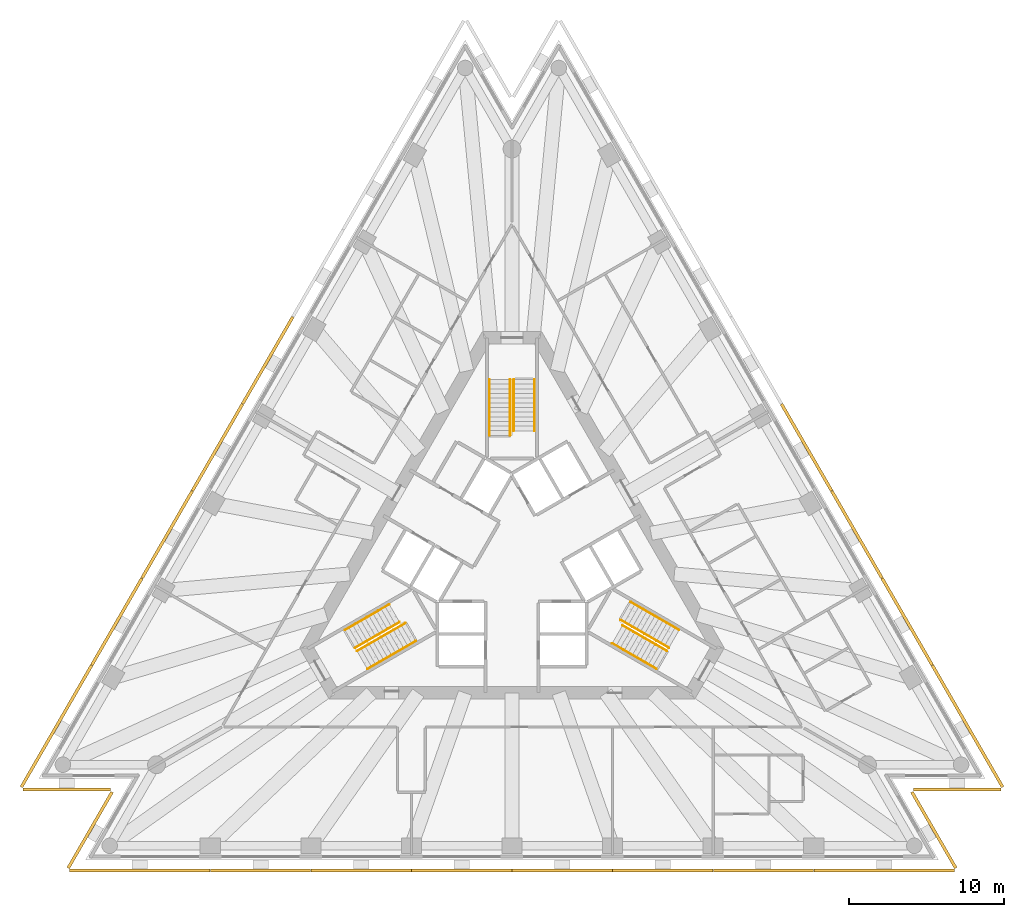
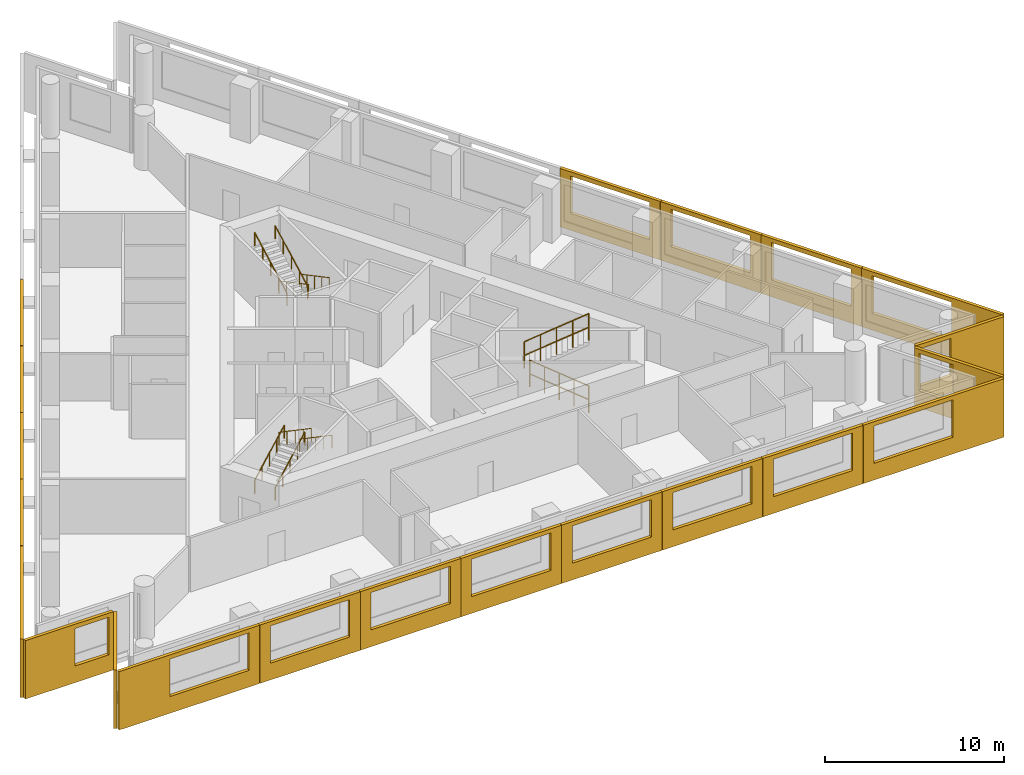
# One storey, part 8 of 9: 21 shading devices, 12 railings, 3 elements without a shape of their own.
"""IFC4 building model written with IfcOpenShell, lengths in metres."""

from ifc_helpers import new_model, si_unit, direction, frame, origin, origin_2d, place, context, subcontext, project, spatial, polyline, circle, outline, extrude, material, layer, layer_set, type_object, element, aggregate, save


model = new_model("IFC4")

# Units and contexts
model_context = context("Model", 3, precision=1e-05, world=origin(), true_north=direction((0.0, 1.0)))
body_context = subcontext(model_context, "Body", "Model", "MODEL_VIEW")
ifc_project = project(units=[si_unit("LENGTHUNIT", "METRE"), si_unit("AREAUNIT", "SQUARE_METRE"), si_unit("VOLUMEUNIT", "CUBIC_METRE"), si_unit("PLANEANGLEUNIT", "RADIAN"), si_unit("MASSUNIT", "GRAM", prefix="KILO")], contexts=[model_context])

# Site, building, storey
site_placement = place(None, origin())
site = spatial("IfcSite", under=ifc_project, at=site_placement, CompositionType="ELEMENT")
building_placement = place(site_placement, origin())
building = spatial("IfcBuilding", under=site, at=building_placement, Name="Triada Interchange Tower", CompositionType="ELEMENT")
storey_placement = place(building_placement, frame((0.0, 0.0, 172.300048828125)))
storey = spatial("IfcBuildingStorey", under=building, at=storey_placement, Name="L40", CompositionType="ELEMENT", Elevation=172.300048828125)

# Shading devices
ifc_material_1 = material(Name="Concrete C50/60 precast", Category="concrete")
ifc_layer_1 = layer(ifc_material_1, 0.02001953125, Name="Exposed aggregate face")
ifc_layer_2 = layer(ifc_material_1, 0.179931640625, Name="Precast concrete screen")
ifc_layer_set = layer_set([ifc_layer_1, ifc_layer_2], Name="Outer skin screen panel 3980")
shading_device_type = type_object("IfcShadingDeviceType", Name="Outer skin screen panel 3980", PredefinedType="SHUTTER", material=ifc_layer_set)
shading_device_1_placement = place(storey_placement, frame((-14.0439453125, 15.58203125, -0.2900390625), z_axis=(0.0, 0.0, 1.0), x_axis=(-0.500129044967, -0.865950886818, 0.0)))
element("IfcShadingDevice", 1, at=shading_device_1_placement, inside=storey, type_object=shading_device_type, Name="Outer skin screen panel L40 04", PredefinedType="SHUTTER", context=body_context, shape_type="SweptSolid", body=[
    extrude(outline(polyline([(0.0, 0.0), (6.462158203125, 0.0), (6.462158203125, 3.97998046875), (0.0, 3.97998046875), (0.0, 0.0)]), holes=[polyline([(0.680908203125, 1.139892578125), (0.680908203125, 3.68994140625), (5.781005859375, 3.68994140625), (5.781005859375, 1.139892578125), (0.680908203125, 1.139892578125)])]), frame((0.0, 0.0, 0.0), z_axis=(0.0, -1.0, 0.0), x_axis=(1.0, 0.0, 0.0)), (0.0, 0.0, 1.0), 0.199951171875),
])
shading_device_2_placement = place(storey_placement, frame((-17.285888671875, 9.968017578125, -0.2900390625), z_axis=(0.0, 0.0, 1.0), x_axis=(-0.500044047809, -0.865999971276, 0.0)))
element("IfcShadingDevice", 2, at=shading_device_2_placement, inside=storey, type_object=shading_device_type, Name="Outer skin screen panel L40 05", PredefinedType="SHUTTER", context=body_context, shape_type="SweptSolid", body=[
    extrude(outline(polyline([(0.0, 0.0), (6.4619140625, 0.0), (6.4619140625, 3.97998046875), (0.0, 3.97998046875), (0.0, 0.0)]), holes=[polyline([(0.6806640625, 1.139892578125), (0.6806640625, 3.68994140625), (5.78076171875, 3.68994140625), (5.78076171875, 1.139892578125), (0.6806640625, 1.139892578125)])]), frame((0.0, 0.0, 0.0), z_axis=(0.0, -1.0, 0.0), x_axis=(1.0, 0.0, 0.0)), (0.0, 0.0, 1.0), 0.199951171875),
])
shading_device_3_placement = place(storey_placement, frame((-20.527099609375, 4.35498046875, -0.2900390625), z_axis=(0.0, 0.0, 1.0), x_axis=(-0.499950276492, -0.866054109762, 0.0)))
element("IfcShadingDevice", 3, at=shading_device_3_placement, inside=storey, type_object=shading_device_type, Name="Outer skin screen panel L40 06", PredefinedType="SHUTTER", context=body_context, shape_type="SweptSolid", body=[
    extrude(outline(polyline([(0.0, 0.0), (6.462646484375, 0.0), (6.462646484375, 3.97998046875), (0.0, 3.97998046875), (0.0, 0.0)]), holes=[polyline([(0.681396484375, 1.139892578125), (0.681396484375, 3.68994140625), (5.781494140625, 3.68994140625), (5.781494140625, 1.139892578125), (0.681396484375, 1.139892578125)])]), frame((0.0, 0.0, 0.0), z_axis=(0.0, -1.0, 0.0), x_axis=(1.0, 0.0, 0.0)), (0.0, 0.0, 1.0), 0.199951171875),
])
shading_device_4_placement = place(storey_placement, frame((-23.76806640625, -1.259033203125, -0.2900390625), z_axis=(0.0, 0.0, 1.0), x_axis=(-0.499950276492, -0.866054109762, 0.0)))
element("IfcShadingDevice", 4, at=shading_device_4_placement, inside=storey, type_object=shading_device_type, Name="Outer skin screen panel L40 07", PredefinedType="SHUTTER", context=body_context, shape_type="SweptSolid", body=[
    extrude(outline(polyline([(0.0, 0.0), (6.462646484375, 0.0), (6.462646484375, 3.97998046875), (0.0, 3.97998046875), (0.0, 0.0)]), holes=[polyline([(0.68115234375, 1.139892578125), (0.68115234375, 3.68994140625), (5.78125, 3.68994140625), (5.78125, 1.139892578125), (0.68115234375, 1.139892578125)])]), frame((0.0, 0.0, 0.0), z_axis=(0.0, -1.0, 0.0), x_axis=(1.0, 0.0, 0.0)), (0.0, 0.0, 1.0), 0.199951171875),
])
shading_device_5_placement = place(storey_placement, frame((-27.009033203125, -6.873046875, -0.2900390625), z_axis=(0.0, 0.0, 1.0), x_axis=(-0.500014034262, -0.866017300948, 0.0)))
element("IfcShadingDevice", 5, at=shading_device_5_placement, inside=storey, type_object=shading_device_type, Name="Outer skin screen panel L40 08", PredefinedType="SHUTTER", context=body_context, shape_type="SweptSolid", body=[
    extrude(outline(polyline([(0.0, 0.0), (9.059814453125, 0.0), (9.059814453125, 3.97998046875), (0.0, 3.97998046875), (0.0, 0.0)]), holes=[polyline([(0.680908203125, 1.139892578125), (0.680908203125, 3.68994140625), (5.781005859375, 3.68994140625), (5.781005859375, 1.139892578125), (0.680908203125, 1.139892578125)])]), frame((0.0, 0.0, 0.0), z_axis=(0.0, -1.0, 0.0), x_axis=(1.0, 0.0, 0.0)), (0.0, 0.0, 1.0), 0.199951171875),
])
shading_device_6_placement = place(storey_placement, frame((-31.533935546875, -14.72802734375, -0.2900390625), z_axis=(0.0, 0.0, 1.0), x_axis=(1.0, 0.0, 0.0)))
element("IfcShadingDevice", 6, at=shading_device_6_placement, inside=storey, type_object=shading_device_type, Name="Outer skin screen panel L40 09", PredefinedType="SHUTTER", context=body_context, shape_type="SweptSolid", body=[
    extrude(outline(polyline([(0.0, 0.0), (5.6669921875, 0.0), (5.6669921875, 3.97998046875), (0.0, 3.97998046875), (0.0, 0.0)]), holes=[polyline([(3.175048828125, 1.139892578125), (3.175048828125, 3.68994140625), (5.366943359375, 3.68994140625), (5.366943359375, 1.139892578125), (3.175048828125, 1.139892578125)])]), frame((0.0, 0.0, 0.0), z_axis=(0.0, -1.0, 0.0), x_axis=(1.0, 0.0, 0.0)), (0.0, 0.0, 1.0), 0.199951171875),
])
shading_device_7_placement = place(storey_placement, frame((-25.68798828125, -15.037109375, -0.2900390625), z_axis=(0.0, 0.0, 1.0), x_axis=(-0.500049351658, -0.865996908716, 0.0)))
element("IfcShadingDevice", 7, at=shading_device_7_placement, inside=storey, type_object=shading_device_type, Name="Outer skin screen panel L40 10", PredefinedType="SHUTTER", context=body_context, shape_type="SweptSolid", body=[
    extrude(outline(polyline([(0.0, 0.0), (5.66748046875, 0.0), (5.66748046875, 3.97998046875), (0.0, 3.97998046875), (0.0, 0.0)]), holes=[polyline([(0.300048828125, 1.139892578125), (0.300048828125, 3.68994140625), (2.258056640625, 3.68994140625), (2.258056640625, 1.139892578125), (0.300048828125, 1.139892578125)])]), frame((0.0, 0.0, 0.0), z_axis=(0.0, -1.0, 0.0), x_axis=(1.0, 0.0, 0.0)), (0.0, 0.0, 1.0), 0.199951171875),
])
shading_device_8_placement = place(storey_placement, frame((-28.51708984375, -19.9541015625, -0.2900390625), z_axis=(0.0, 0.0, 1.0), x_axis=(1.0, 0.0, 0.0)))
element("IfcShadingDevice", 8, at=shading_device_8_placement, inside=storey, type_object=shading_device_type, Name="Outer skin screen panel L40 11", PredefinedType="SHUTTER", context=body_context, shape_type="SweptSolid", body=[
    extrude(outline(polyline([(0.0, 0.0), (9.06005859375, 0.0), (9.06005859375, 3.97998046875), (0.0, 3.97998046875), (0.0, 0.0)]), holes=[polyline([(3.279052734375, 1.139892578125), (3.279052734375, 3.68994140625), (8.37890625, 3.68994140625), (8.37890625, 1.139892578125), (3.279052734375, 1.139892578125)])]), frame((0.0, 0.0, 0.0), z_axis=(0.0, -1.0, 0.0), x_axis=(1.0, 0.0, 0.0)), (0.0, 0.0, 1.0), 0.199951171875),
])
shading_device_9_placement = place(storey_placement, frame((-19.43701171875, -19.9541015625, -0.2900390625), z_axis=(0.0, 0.0, 1.0), x_axis=(1.0, 0.0, 0.0)))
element("IfcShadingDevice", 9, at=shading_device_9_placement, inside=storey, type_object=shading_device_type, Name="Outer skin screen panel L40 12", PredefinedType="SHUTTER", context=body_context, shape_type="SweptSolid", body=[
    extrude(outline(polyline([(0.0, 0.0), (6.462890625, 0.0), (6.462890625, 3.97998046875), (0.0, 3.97998046875), (0.0, 0.0)]), holes=[polyline([(0.6806640625, 1.139892578125), (0.6806640625, 3.68994140625), (5.78076171875, 3.68994140625), (5.78076171875, 1.139892578125), (0.6806640625, 1.139892578125)])]), frame((0.0, 0.0, 0.0), z_axis=(0.0, -1.0, 0.0), x_axis=(1.0, 0.0, 0.0)), (0.0, 0.0, 1.0), 0.199951171875),
])
shading_device_10_placement = place(storey_placement, frame((-12.9541015625, -19.9541015625, -0.2900390625), z_axis=(0.0, 0.0, 1.0), x_axis=(1.0, 0.0, 0.0)))
element("IfcShadingDevice", 10, at=shading_device_10_placement, inside=storey, type_object=shading_device_type, Name="Outer skin screen panel L40 13", PredefinedType="SHUTTER", context=body_context, shape_type="SweptSolid", body=[
    extrude(outline(polyline([(0.0, 0.0), (6.462158203125, 0.0), (6.462158203125, 3.97998046875), (0.0, 3.97998046875), (0.0, 0.0)]), holes=[polyline([(0.681396484375, 1.139892578125), (0.681396484375, 3.68994140625), (5.781494140625, 3.68994140625), (5.781494140625, 1.139892578125), (0.681396484375, 1.139892578125)])]), frame((0.0, 0.0, 0.0), z_axis=(0.0, -1.0, 0.0), x_axis=(1.0, 0.0, 0.0)), (0.0, 0.0, 1.0), 0.199951171875),
])
shading_device_11_placement = place(storey_placement, frame((-6.471923828125, -19.9541015625, -0.2900390625), z_axis=(0.0, 0.0, 1.0), x_axis=(1.0, 0.0, 0.0)))
element("IfcShadingDevice", 11, at=shading_device_11_placement, inside=storey, type_object=shading_device_type, Name="Outer skin screen panel L40 14", PredefinedType="SHUTTER", context=body_context, shape_type="SweptSolid", body=[
    extrude(outline(polyline([(0.0, 0.0), (6.4619140625, 0.0), (6.4619140625, 3.97998046875), (0.0, 3.97998046875), (0.0, 0.0)]), holes=[polyline([(0.68115234375, 1.139892578125), (0.68115234375, 3.68994140625), (5.78125, 3.68994140625), (5.78125, 1.139892578125), (0.68115234375, 1.139892578125)])]), frame((0.0, 0.0, 0.0), z_axis=(0.0, -1.0, 0.0), x_axis=(1.0, 0.0, 0.0)), (0.0, 0.0, 1.0), 0.199951171875),
])
shading_device_12_placement = place(storey_placement, frame((0.010009765625, -19.9541015625, -0.2900390625), z_axis=(0.0, 0.0, 1.0), x_axis=(1.0, 0.0, 0.0)))
element("IfcShadingDevice", 12, at=shading_device_12_placement, inside=storey, type_object=shading_device_type, Name="Outer skin screen panel L40 15", PredefinedType="SHUTTER", context=body_context, shape_type="SweptSolid", body=[
    extrude(outline(polyline([(0.0, 0.0), (6.4619140625, 0.0), (6.4619140625, 3.97998046875), (0.0, 3.97998046875), (0.0, 0.0)]), holes=[polyline([(0.680908203125, 1.139892578125), (0.680908203125, 3.68994140625), (5.781005859375, 3.68994140625), (5.781005859375, 1.139892578125), (0.680908203125, 1.139892578125)])]), frame((0.0, 0.0, 0.0), z_axis=(0.0, -1.0, 0.0), x_axis=(1.0, 0.0, 0.0)), (0.0, 0.0, 1.0), 0.199951171875),
])
shading_device_13_placement = place(storey_placement, frame((6.491943359375, -19.9541015625, -0.2900390625), z_axis=(0.0, 0.0, 1.0), x_axis=(1.0, 0.0, 0.0)))
element("IfcShadingDevice", 13, at=shading_device_13_placement, inside=storey, type_object=shading_device_type, Name="Outer skin screen panel L40 16", PredefinedType="SHUTTER", context=body_context, shape_type="SweptSolid", body=[
    extrude(outline(polyline([(0.0, 0.0), (6.463134765625, 0.0), (6.463134765625, 3.97998046875), (0.0, 3.97998046875), (0.0, 0.0)]), holes=[polyline([(0.680908203125, 1.139892578125), (0.680908203125, 3.68994140625), (5.78076171875, 3.68994140625), (5.78076171875, 1.139892578125), (0.680908203125, 1.139892578125)])]), frame((0.0, 0.0, 0.0), z_axis=(0.0, -1.0, 0.0), x_axis=(1.0, 0.0, 0.0)), (0.0, 0.0, 1.0), 0.199951171875),
])
shading_device_14_placement = place(storey_placement, frame((12.97412109375, -19.9541015625, -0.2900390625), z_axis=(0.0, 0.0, 1.0), x_axis=(1.0, 0.0, 0.0)))
element("IfcShadingDevice", 14, at=shading_device_14_placement, inside=storey, type_object=shading_device_type, Name="Outer skin screen panel L40 17", PredefinedType="SHUTTER", context=body_context, shape_type="SweptSolid", body=[
    extrude(outline(polyline([(0.0, 0.0), (6.462890625, 0.0), (6.462890625, 3.97998046875), (0.0, 3.97998046875), (0.0, 0.0)]), holes=[polyline([(0.681396484375, 1.139892578125), (0.681396484375, 3.68994140625), (5.781494140625, 3.68994140625), (5.781494140625, 1.139892578125), (0.681396484375, 1.139892578125)])]), frame((0.0, 0.0, 0.0), z_axis=(0.0, -1.0, 0.0), x_axis=(1.0, 0.0, 0.0)), (0.0, 0.0, 1.0), 0.199951171875),
])
shading_device_15_placement = place(storey_placement, frame((19.45703125, -19.9541015625, -0.2900390625), z_axis=(0.0, 0.0, 1.0), x_axis=(1.0, 0.0, 0.0)))
element("IfcShadingDevice", 15, at=shading_device_15_placement, inside=storey, type_object=shading_device_type, Name="Outer skin screen panel L40 18", PredefinedType="SHUTTER", context=body_context, shape_type="SweptSolid", body=[
    extrude(outline(polyline([(0.0, 0.0), (9.06005859375, 0.0), (9.06005859375, 3.97998046875), (0.0, 3.97998046875), (0.0, 0.0)]), holes=[polyline([(0.681396484375, 1.139892578125), (0.681396484375, 3.68994140625), (5.78125, 3.68994140625), (5.78125, 1.139892578125), (0.681396484375, 1.139892578125)])]), frame((0.0, 0.0, 0.0), z_axis=(0.0, -1.0, 0.0), x_axis=(1.0, 0.0, 0.0)), (0.0, 0.0, 1.0), 0.199951171875),
])
shading_device_16_placement = place(storey_placement, frame((28.52197265625, -19.945068359375, -0.2900390625), z_axis=(0.0, 0.0, 1.0), x_axis=(-0.500049351658, 0.865996908716, 0.0)))
element("IfcShadingDevice", 16, at=shading_device_16_placement, inside=storey, type_object=shading_device_type, Name="Outer skin screen panel L40 19", PredefinedType="SHUTTER", context=body_context, shape_type="SweptSolid", body=[
    extrude(outline(polyline([(0.0, 0.0), (5.66748046875, 0.0), (5.66748046875, 3.97998046875), (0.0, 3.97998046875), (0.0, 0.0)]), holes=[polyline([(3.17529296875, 1.139892578125), (3.17529296875, 3.68994140625), (5.36767578125, 3.68994140625), (5.36767578125, 1.139892578125), (3.17529296875, 1.139892578125)])]), frame((0.0, 0.0, 0.0), z_axis=(0.0, -1.0, 0.0), x_axis=(1.0, 0.0, 0.0)), (0.0, 0.0, 1.0), 0.199951171875),
])
shading_device_17_placement = place(storey_placement, frame((25.866943359375, -14.72802734375, -0.2900390625), z_axis=(0.0, 0.0, 1.0), x_axis=(1.0, 0.0, 0.0)))
element("IfcShadingDevice", 17, at=shading_device_17_placement, inside=storey, type_object=shading_device_type, Name="Outer skin screen panel L40 20", PredefinedType="SHUTTER", context=body_context, shape_type="SweptSolid", body=[
    extrude(outline(polyline([(0.0, 0.0), (5.6669921875, 0.0), (5.6669921875, 3.97998046875), (0.0, 3.97998046875), (0.0, 0.0)]), holes=[polyline([(0.300048828125, 1.139892578125), (0.300048828125, 3.68994140625), (2.258056640625, 3.68994140625), (2.258056640625, 1.139892578125), (0.300048828125, 1.139892578125)])]), frame((0.0, 0.0, 0.0), z_axis=(0.0, -1.0, 0.0), x_axis=(1.0, 0.0, 0.0)), (0.0, 0.0, 1.0), 0.199951171875),
])
shading_device_18_placement = place(storey_placement, frame((31.5390625, -14.718994140625, -0.2900390625), z_axis=(0.0, 0.0, 1.0), x_axis=(-0.500014034262, 0.866017300948, 0.0)))
element("IfcShadingDevice", 18, at=shading_device_18_placement, inside=storey, type_object=shading_device_type, Name="Outer skin screen panel L40 21", PredefinedType="SHUTTER", context=body_context, shape_type="SweptSolid", body=[
    extrude(outline(polyline([(0.0, 0.0), (9.059814453125, 0.0), (9.059814453125, 3.97998046875), (0.0, 3.97998046875), (0.0, 0.0)]), holes=[polyline([(3.279296875, 1.139892578125), (3.279296875, 3.68994140625), (8.37939453125, 3.68994140625), (8.37939453125, 1.139892578125), (3.279296875, 1.139892578125)])]), frame((0.0, 0.0, 0.0), z_axis=(0.0, -1.0, 0.0), x_axis=(1.0, 0.0, 0.0)), (0.0, 0.0, 1.0), 0.199951171875),
])
shading_device_19_placement = place(storey_placement, frame((26.9990234375, -6.85595703125, -0.2900390625), z_axis=(0.0, 0.0, 1.0), x_axis=(-0.499950276492, 0.866054109762, 0.0)))
element("IfcShadingDevice", 19, at=shading_device_19_placement, inside=storey, type_object=shading_device_type, Name="Outer skin screen panel L40 22", PredefinedType="SHUTTER", context=body_context, shape_type="SweptSolid", body=[
    extrude(outline(polyline([(0.0, 0.0), (6.462646484375, 0.0), (6.462646484375, 3.97998046875), (0.0, 3.97998046875), (0.0, 0.0)]), holes=[polyline([(0.680908203125, 1.139892578125), (0.680908203125, 3.68994140625), (5.781005859375, 3.68994140625), (5.781005859375, 1.139892578125), (0.680908203125, 1.139892578125)])]), frame((0.0, 0.0, 0.0), z_axis=(0.0, -1.0, 0.0), x_axis=(1.0, 0.0, 0.0)), (0.0, 0.0, 1.0), 0.199951171875),
])
shading_device_20_placement = place(storey_placement, frame((23.758056640625, -1.241943359375, -0.2900390625), z_axis=(0.0, 0.0, 1.0), x_axis=(-0.499950276492, 0.866054109762, 0.0)))
element("IfcShadingDevice", 20, at=shading_device_20_placement, inside=storey, type_object=shading_device_type, Name="Outer skin screen panel L40 23", PredefinedType="SHUTTER", context=body_context, shape_type="SweptSolid", body=[
    extrude(outline(polyline([(0.0, 0.0), (6.462646484375, 0.0), (6.462646484375, 3.97998046875), (0.0, 3.97998046875), (0.0, 0.0)]), holes=[polyline([(0.680908203125, 1.139892578125), (0.680908203125, 3.68994140625), (5.78076171875, 3.68994140625), (5.78076171875, 1.139892578125), (0.680908203125, 1.139892578125)])]), frame((0.0, 0.0, 0.0), z_axis=(0.0, -1.0, 0.0), x_axis=(1.0, 0.0, 0.0)), (0.0, 0.0, 1.0), 0.199951171875),
])
shading_device_21_placement = place(storey_placement, frame((20.51708984375, 4.3720703125, -0.2900390625), z_axis=(0.0, 0.0, 1.0), x_axis=(-0.500044047809, 0.865999971276, 0.0)))
element("IfcShadingDevice", 21, at=shading_device_21_placement, inside=storey, type_object=shading_device_type, Name="Outer skin screen panel L40 24", PredefinedType="SHUTTER", context=body_context, shape_type="SweptSolid", body=[
    extrude(outline(polyline([(0.0, 0.0), (6.4619140625, 0.0), (6.4619140625, 3.97998046875), (0.0, 3.97998046875), (0.0, 0.0)]), holes=[polyline([(0.6806640625, 1.139892578125), (0.6806640625, 3.68994140625), (5.780517578125, 3.68994140625), (5.780517578125, 1.139892578125), (0.6806640625, 1.139892578125)])]), frame((0.0, 0.0, 0.0), z_axis=(0.0, -1.0, 0.0), x_axis=(1.0, 0.0, 0.0)), (0.0, 0.0, 1.0), 0.199951171875),
])

# Stair, railings
ifc_material_2 = material(Name="Concrete C35/45", Category="concrete")
stair_type = type_object("IfcStairType", Name="HALF TURN STAIR 1400", PredefinedType="HALF_TURN_STAIR", material=ifc_material_2)
stair_1_placement = place(storey_placement, origin())
stair_1 = element("IfcStair", 22, at=stair_1_placement, inside=storey, type_object=stair_type, Name="Exit stair S38-1", PredefinedType="HALF_TURN_STAIR")
ifc_material_3 = material(Name="Stainless steel 1.4301", Category="steel")
railing_type = type_object("IfcRailingType", Name="STAIR HANDRAIL 900", PredefinedType="HANDRAIL", material=ifc_material_3)
railing_1_placement = place(storey_placement, frame((1.449951171875, 11.60009765625, 0.159912109375)))
railing_1 = element("IfcRailing", 23, at=railing_1_placement, type_object=railing_type, Name="Handrail S38-1 1W", PredefinedType="HANDRAIL", context=body_context, shape_type="SweptSolid", body=[
    extrude(circle(Radius=0.02392578125, at=origin_2d()), frame((0.0, 0.0, 0.8759765625), z_axis=(0.0, -0.882354748157, 0.47058484719), x_axis=(1.0, 0.0, 0.0)), (0.0, 0.0, 1.0), 3.739990234375),
    extrude(circle(Radius=0.02099609375, at=origin_2d()), origin(), (0.0, 0.0, 1.0), 0.851806640625),
    extrude(circle(Radius=0.02099609375, at=origin_2d()), frame((0.0, -0.824951171875, 0.43994140625)), (0.0, 0.0, 1.0), 0.851806640625),
    extrude(circle(Radius=0.02099609375, at=origin_2d()), frame((0.0, -1.64990234375, 0.8798828125)), (0.0, 0.0, 1.0), 0.851806640625),
    extrude(circle(Radius=0.02099609375, at=origin_2d()), frame((0.0, -2.47509765625, 1.320068359375)), (0.0, 0.0, 1.0), 0.851806640625),
    extrude(circle(Radius=0.02099609375, at=origin_2d()), frame((0.0, -3.300048828125, 1.760009765625)), (0.0, 0.0, 1.0), 0.851806640625),
])
railing_2_placement = place(storey_placement, frame((0.1201171875, 11.60009765625, 0.159912109375)))
railing_2 = element("IfcRailing", 24, at=railing_2_placement, type_object=railing_type, Name="Handrail S38-1 1C", PredefinedType="HANDRAIL", context=body_context, shape_type="SweptSolid", body=[
    extrude(circle(Radius=0.02392578125, at=origin_2d()), frame((0.0, 0.0, 0.8759765625), z_axis=(0.0, -0.882354748157, 0.47058484719), x_axis=(1.0, 0.0, 0.0)), (0.0, 0.0, 1.0), 3.739990234375),
    extrude(circle(Radius=0.02099609375, at=origin_2d()), origin(), (0.0, 0.0, 1.0), 0.851806640625),
    extrude(circle(Radius=0.02099609375, at=origin_2d()), frame((0.0, -0.824951171875, 0.43994140625)), (0.0, 0.0, 1.0), 0.851806640625),
    extrude(circle(Radius=0.02099609375, at=origin_2d()), frame((0.0, -1.64990234375, 0.8798828125)), (0.0, 0.0, 1.0), 0.851806640625),
    extrude(circle(Radius=0.02099609375, at=origin_2d()), frame((0.0, -2.47509765625, 1.320068359375)), (0.0, 0.0, 1.0), 0.851806640625),
    extrude(circle(Radius=0.02099609375, at=origin_2d()), frame((0.0, -3.300048828125, 1.760009765625)), (0.0, 0.0, 1.0), 0.851806640625),
])
railing_3_placement = place(storey_placement, frame((-1.449951171875, 8.0, 2.079833984375)))
railing_3 = element("IfcRailing", 25, at=railing_3_placement, type_object=railing_type, Name="Handrail S38-1 2W", PredefinedType="HANDRAIL", context=body_context, shape_type="SweptSolid", body=[
    extrude(circle(Radius=0.02392578125, at=origin_2d()), frame((0.0, 0.0, 0.8759765625), z_axis=(0.0, 0.882341346394, 0.470609974867), x_axis=(-1.0, 0.0, 0.0)), (0.0, 0.0, 1.0), 4.080078125),
    extrude(circle(Radius=0.02099609375, at=origin_2d()), origin(), (0.0, 0.0, 1.0), 0.851806640625),
    extrude(circle(Radius=0.02099609375, at=origin_2d()), frame((0.0, 0.89990234375, 0.47998046875)), (0.0, 0.0, 1.0), 0.851806640625),
    extrude(circle(Radius=0.02099609375, at=origin_2d()), frame((0.0, 1.800048828125, 0.9599609375)), (0.0, 0.0, 1.0), 0.851806640625),
    extrude(circle(Radius=0.02099609375, at=origin_2d()), frame((0.0, 2.7001953125, 1.440185546875)), (0.0, 0.0, 1.0), 0.851806640625),
    extrude(circle(Radius=0.02099609375, at=origin_2d()), frame((0.0, 3.60009765625, 1.920166015625)), (0.0, 0.0, 1.0), 0.851806640625),
])
railing_4_placement = place(storey_placement, frame((-0.1201171875, 8.0, 2.079833984375)))
railing_4 = element("IfcRailing", 26, at=railing_4_placement, type_object=railing_type, Name="Handrail S38-1 2C", PredefinedType="HANDRAIL", context=body_context, shape_type="SweptSolid", body=[
    extrude(circle(Radius=0.02392578125, at=origin_2d()), frame((0.0, 0.0, 0.8759765625), z_axis=(0.0, 0.882341346394, 0.470609974867), x_axis=(-1.0, 0.0, 0.0)), (0.0, 0.0, 1.0), 4.080078125),
    extrude(circle(Radius=0.02099609375, at=origin_2d()), origin(), (0.0, 0.0, 1.0), 0.851806640625),
    extrude(circle(Radius=0.02099609375, at=origin_2d()), frame((0.0, 0.89990234375, 0.47998046875)), (0.0, 0.0, 1.0), 0.851806640625),
    extrude(circle(Radius=0.02099609375, at=origin_2d()), frame((0.0, 1.800048828125, 0.9599609375)), (0.0, 0.0, 1.0), 0.851806640625),
    extrude(circle(Radius=0.02099609375, at=origin_2d()), frame((0.0, 2.7001953125, 1.440185546875)), (0.0, 0.0, 1.0), 0.851806640625),
    extrude(circle(Radius=0.02099609375, at=origin_2d()), frame((0.0, 3.60009765625, 1.920166015625)), (0.0, 0.0, 1.0), 0.851806640625),
])
aggregate(stair_1, [railing_1, railing_2, railing_3, railing_4])

stair_2_placement = place(storey_placement, origin())
stair_2 = element("IfcStair", 27, at=stair_2_placement, inside=storey, type_object=stair_type, Name="Exit stair S38-2", PredefinedType="HALF_TURN_STAIR")
railing_5_placement = place(storey_placement, frame((-10.77099609375, -4.5439453125, 0.159912109375)))
railing_5 = element("IfcRailing", 28, at=railing_5_placement, type_object=railing_type, Name="Handrail S38-2 1W", PredefinedType="HANDRAIL", context=body_context, shape_type="SweptSolid", body=[
    extrude(circle(Radius=0.02392578125, at=origin_2d()), frame((0.0, 0.0, 0.8759765625), z_axis=(0.764150854273, 0.441152526326, 0.470593158077), x_axis=(-0.499974350878, 0.866040211805, 0.0)), (0.0, 0.0, 1.0), 3.739990234375),
    extrude(circle(Radius=0.02099609375, at=origin_2d()), origin(), (0.0, 0.0, 1.0), 0.851806640625),
    extrude(circle(Radius=0.02099609375, at=origin_2d()), frame((0.71435546875, 0.41259765625, 0.43994140625)), (0.0, 0.0, 1.0), 0.851806640625),
    extrude(circle(Radius=0.02099609375, at=origin_2d()), frame((1.428955078125, 0.824951171875, 0.8798828125)), (0.0, 0.0, 1.0), 0.851806640625),
    extrude(circle(Radius=0.02099609375, at=origin_2d()), frame((2.1435546875, 1.2373046875, 1.320068359375)), (0.0, 0.0, 1.0), 0.851806640625),
    extrude(circle(Radius=0.02099609375, at=origin_2d()), frame((2.85791015625, 1.64990234375, 1.760009765625)), (0.0, 0.0, 1.0), 0.851806640625),
])
railing_6_placement = place(storey_placement, frame((-10.10595703125, -5.696044921875, 0.159912109375)))
railing_6 = element("IfcRailing", 29, at=railing_6_placement, type_object=railing_type, Name="Handrail S38-2 1C", PredefinedType="HANDRAIL", context=body_context, shape_type="SweptSolid", body=[
    extrude(circle(Radius=0.02392578125, at=origin_2d()), frame((0.0, 0.0, 0.8759765625), z_axis=(0.76412884773, 0.441205098395, 0.470579605611), x_axis=(-0.50002983664, 0.866008176907, 0.0)), (0.0, 0.0, 1.0), 3.739990234375),
    extrude(circle(Radius=0.02099609375, at=origin_2d()), origin(), (0.0, 0.0, 1.0), 0.851806640625),
    extrude(circle(Radius=0.02099609375, at=origin_2d()), frame((0.71435546875, 0.41259765625, 0.43994140625)), (0.0, 0.0, 1.0), 0.851806640625),
    extrude(circle(Radius=0.02099609375, at=origin_2d()), frame((1.428955078125, 0.8251953125, 0.8798828125)), (0.0, 0.0, 1.0), 0.851806640625),
    extrude(circle(Radius=0.02099609375, at=origin_2d()), frame((2.1435546875, 1.237548828125, 1.320068359375)), (0.0, 0.0, 1.0), 0.851806640625),
    extrude(circle(Radius=0.02099609375, at=origin_2d()), frame((2.85791015625, 1.650146484375, 1.760009765625)), (0.0, 0.0, 1.0), 0.851806640625),
])
railing_7_placement = place(storey_placement, frame((-6.202880859375, -5.256103515625, 2.079833984375)))
railing_7 = element("IfcRailing", 30, at=railing_7_placement, type_object=railing_type, Name="Handrail S38-2 2W", PredefinedType="HANDRAIL", context=body_context, shape_type="SweptSolid", body=[
    extrude(circle(Radius=0.02392578125, at=origin_2d()), frame((0.0, 0.0, 0.8759765625), z_axis=(-0.764189758314, -0.441090424232, 0.470588196769), x_axis=(0.499902469156, -0.866081705922, 0.0)), (0.0, 0.0, 1.0), 4.080322265625),
    extrude(circle(Radius=0.02099609375, at=origin_2d()), origin(), (0.0, 0.0, 1.0), 0.851806640625),
    extrude(circle(Radius=0.02099609375, at=origin_2d()), frame((-0.779541015625, -0.449951171875, 0.47998046875)), (0.0, 0.0, 1.0), 0.851806640625),
    extrude(circle(Radius=0.02099609375, at=origin_2d()), frame((-1.55908203125, -0.89990234375, 0.9599609375)), (0.0, 0.0, 1.0), 0.851806640625),
    extrude(circle(Radius=0.02099609375, at=origin_2d()), frame((-2.338623046875, -1.349853515625, 1.440185546875)), (0.0, 0.0, 1.0), 0.851806640625),
    extrude(circle(Radius=0.02099609375, at=origin_2d()), frame((-3.1181640625, -1.7998046875, 1.920166015625)), (0.0, 0.0, 1.0), 0.851806640625),
])
railing_8_placement = place(storey_placement, frame((-6.867919921875, -4.10400390625, 2.079833984375)))
railing_8 = element("IfcRailing", 31, at=railing_8_placement, type_object=railing_type, Name="Handrail S38-2 2C", PredefinedType="HANDRAIL", context=body_context, shape_type="SweptSolid", body=[
    extrude(circle(Radius=0.02392578125, at=origin_2d()), frame((0.0, 0.0, 0.8759765625), z_axis=(-0.764169589359, -0.441138614339, 0.470575776723), x_axis=(0.49995333141, -0.866052346231, 0.0)), (0.0, 0.0, 1.0), 4.08056640625),
    extrude(circle(Radius=0.02099609375, at=origin_2d()), origin(), (0.0, 0.0, 1.0), 0.851806640625),
    extrude(circle(Radius=0.02099609375, at=origin_2d()), frame((-0.779541015625, -0.449951171875, 0.47998046875)), (0.0, 0.0, 1.0), 0.851806640625),
    extrude(circle(Radius=0.02099609375, at=origin_2d()), frame((-1.55908203125, -0.89990234375, 0.9599609375)), (0.0, 0.0, 1.0), 0.851806640625),
    extrude(circle(Radius=0.02099609375, at=origin_2d()), frame((-2.338623046875, -1.35009765625, 1.440185546875)), (0.0, 0.0, 1.0), 0.851806640625),
    extrude(circle(Radius=0.02099609375, at=origin_2d()), frame((-3.1181640625, -1.800048828125, 1.920166015625)), (0.0, 0.0, 1.0), 0.851806640625),
])
aggregate(stair_2, [railing_5, railing_6, railing_7, railing_8])

stair_3_placement = place(storey_placement, origin())
stair_3 = element("IfcStair", 32, at=stair_3_placement, inside=storey, type_object=stair_type, Name="Exit stair S38-3", PredefinedType="HALF_TURN_STAIR")
railing_9_placement = place(storey_placement, frame((9.321044921875, -7.055908203125, 0.159912109375)))
railing_9 = element("IfcRailing", 33, at=railing_9_placement, type_object=railing_type, Name="Handrail S38-3 1W", PredefinedType="HANDRAIL", context=body_context, shape_type="SweptSolid", body=[
    extrude(circle(Radius=0.02392578125, at=origin_2d()), frame((0.0, 0.0, 0.8759765625), z_axis=(-0.764178012919, 0.441130521168, 0.470569684388), x_axis=(-0.499942318283, -0.866058703778, 0.0)), (0.0, 0.0, 1.0), 3.740234375),
    extrude(circle(Radius=0.02099609375, at=origin_2d()), origin(), (0.0, 0.0, 1.0), 0.851806640625),
    extrude(circle(Radius=0.02099609375, at=origin_2d()), frame((-0.714599609375, 0.41259765625, 0.43994140625)), (0.0, 0.0, 1.0), 0.851806640625),
    extrude(circle(Radius=0.02099609375, at=origin_2d()), frame((-1.42919921875, 0.824951171875, 0.8798828125)), (0.0, 0.0, 1.0), 0.851806640625),
    extrude(circle(Radius=0.02099609375, at=origin_2d()), frame((-2.1435546875, 1.2373046875, 1.320068359375)), (0.0, 0.0, 1.0), 0.851806640625),
    extrude(circle(Radius=0.02099609375, at=origin_2d()), frame((-2.858154296875, 1.64990234375, 1.760009765625)), (0.0, 0.0, 1.0), 0.851806640625),
])
railing_10_placement = place(storey_placement, frame((9.986083984375, -5.904052734375, 0.159912109375)))
railing_10 = element("IfcRailing", 34, at=railing_10_placement, type_object=railing_type, Name="Handrail S38-3 1C", PredefinedType="HANDRAIL", context=body_context, shape_type="SweptSolid", body=[
    extrude(circle(Radius=0.02392578125, at=origin_2d()), frame((0.0, 0.0, 0.8759765625), z_axis=(-0.764156007789, 0.441183091881, 0.47055613395), x_axis=(-0.49999780286, -0.8660266723, 0.0)), (0.0, 0.0, 1.0), 3.740234375),
    extrude(circle(Radius=0.02099609375, at=origin_2d()), origin(), (0.0, 0.0, 1.0), 0.851806640625),
    extrude(circle(Radius=0.02099609375, at=origin_2d()), frame((-0.714599609375, 0.41259765625, 0.43994140625)), (0.0, 0.0, 1.0), 0.851806640625),
    extrude(circle(Radius=0.02099609375, at=origin_2d()), frame((-1.42919921875, 0.8251953125, 0.8798828125)), (0.0, 0.0, 1.0), 0.851806640625),
    extrude(circle(Radius=0.02099609375, at=origin_2d()), frame((-2.1435546875, 1.237548828125, 1.320068359375)), (0.0, 0.0, 1.0), 0.851806640625),
    extrude(circle(Radius=0.02099609375, at=origin_2d()), frame((-2.858154296875, 1.650146484375, 1.760009765625)), (0.0, 0.0, 1.0), 0.851806640625),
])
railing_11_placement = place(storey_placement, frame((7.653076171875, -2.743896484375, 2.079833984375)))
railing_11 = element("IfcRailing", 35, at=railing_11_placement, type_object=railing_type, Name="Handrail S38-3 2W", PredefinedType="HANDRAIL", context=body_context, shape_type="SweptSolid", body=[
    extrude(circle(Radius=0.02392578125, at=origin_2d()), frame((0.0, 0.0, 0.8759765625), z_axis=(0.76414469501, -0.441158784458, 0.470597292793), x_axis=(0.499982693035, 0.866035395735, 0.0)), (0.0, 0.0, 1.0), 4.080322265625),
    extrude(circle(Radius=0.02099609375, at=origin_2d()), origin(), (0.0, 0.0, 1.0), 0.851806640625),
    extrude(circle(Radius=0.02099609375, at=origin_2d()), frame((0.779541015625, -0.449951171875, 0.47998046875)), (0.0, 0.0, 1.0), 0.851806640625),
    extrude(circle(Radius=0.02099609375, at=origin_2d()), frame((1.55908203125, -0.89990234375, 0.9599609375)), (0.0, 0.0, 1.0), 0.851806640625),
    extrude(circle(Radius=0.02099609375, at=origin_2d()), frame((2.33837890625, -1.35009765625, 1.440185546875)), (0.0, 0.0, 1.0), 0.851806640625),
    extrude(circle(Radius=0.02099609375, at=origin_2d()), frame((3.117919921875, -1.800048828125, 1.920166015625)), (0.0, 0.0, 1.0), 0.851806640625),
])
railing_12_placement = place(storey_placement, frame((6.988037109375, -3.89599609375, 2.079833984375)))
railing_12 = element("IfcRailing", 36, at=railing_12_placement, type_object=railing_type, Name="Handrail S38-3 2C", PredefinedType="HANDRAIL", context=body_context, shape_type="SweptSolid", body=[
    extrude(circle(Radius=0.02392578125, at=origin_2d()), frame((0.0, 0.0, 0.8759765625), z_axis=(0.76414469501, -0.441158784458, 0.470597292793), x_axis=(0.499982693035, 0.866035395735, 0.0)), (0.0, 0.0, 1.0), 4.080322265625),
    extrude(circle(Radius=0.02099609375, at=origin_2d()), origin(), (0.0, 0.0, 1.0), 0.851806640625),
    extrude(circle(Radius=0.02099609375, at=origin_2d()), frame((0.779541015625, -0.449951171875, 0.47998046875)), (0.0, 0.0, 1.0), 0.851806640625),
    extrude(circle(Radius=0.02099609375, at=origin_2d()), frame((1.55908203125, -0.89990234375, 0.9599609375)), (0.0, 0.0, 1.0), 0.851806640625),
    extrude(circle(Radius=0.02099609375, at=origin_2d()), frame((2.33837890625, -1.35009765625, 1.440185546875)), (0.0, 0.0, 1.0), 0.851806640625),
    extrude(circle(Radius=0.02099609375, at=origin_2d()), frame((3.117919921875, -1.800048828125, 1.920166015625)), (0.0, 0.0, 1.0), 0.851806640625),
])
aggregate(stair_3, [railing_9, railing_10, railing_11, railing_12])

save(model, "model.ifc")
